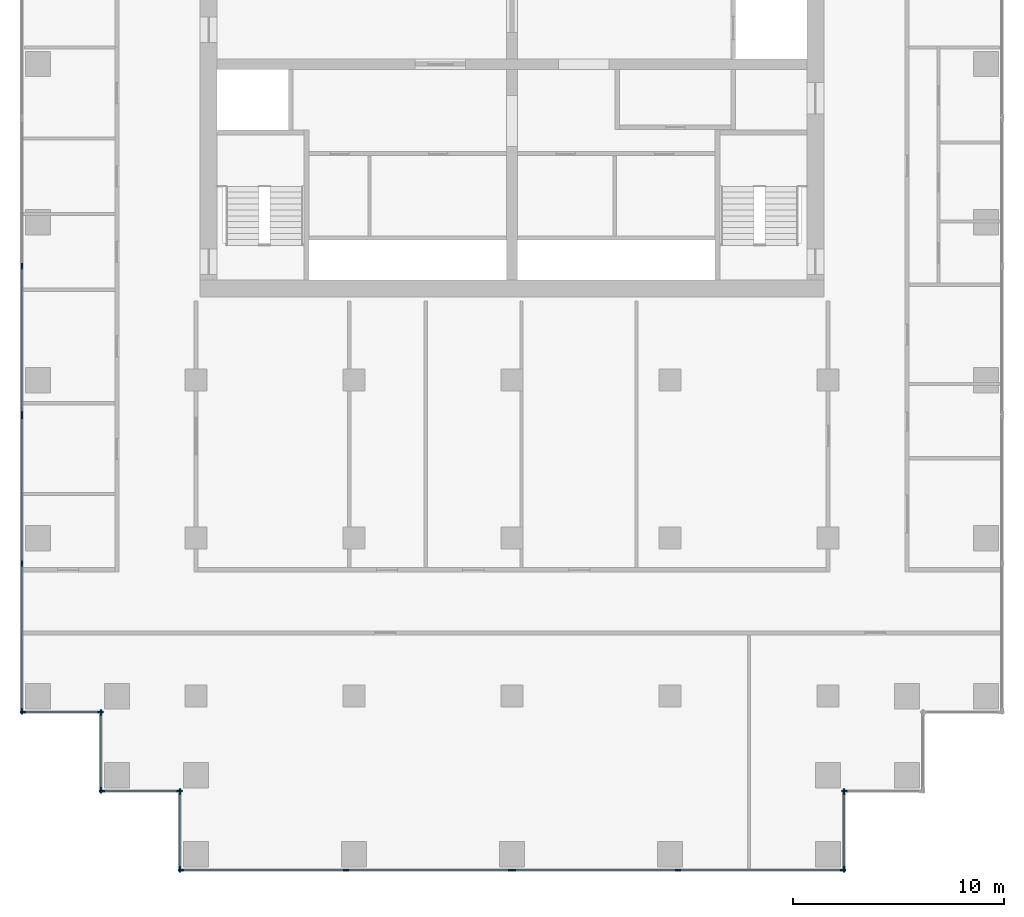
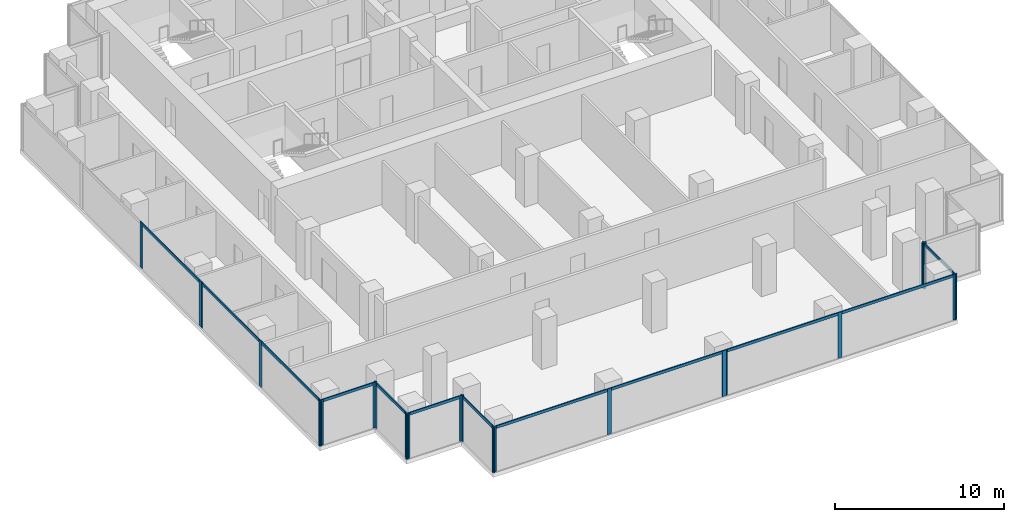
# One storey, part 2 of 10: 34 members, 10 elements without a shape of their own.
"""IFC4 building model written with IfcOpenShell, lengths in metres."""

import ifcopenshell
import ifcopenshell.guid

model = None  # the IFC model being written
_history = None  # IfcOwnerHistory: only IFC2X3 demands one
_inside = {}  # id of a spatial element -> (the spatial element, [elements in it])
_under = {}  # id of a project, library or spatial element -> (it, [spatial elements below it])
_declared = {}  # id of a project -> (the project, [libraries it declares])
_typed = {}  # id of a type object -> (the type object, [elements of that type])
_made_of = {}  # id of a material, layer set ... -> (it, [elements and type objects made of it])


def new_model(schema):
    """Start an empty IFC model of exactly this schema.

    Asked for "IFC4X3", IfcOpenShell would pick the latest addendum, in which some entities
    have other attributes; the version numbers below select the first issue.
    IFC2X3 requires an IfcOwnerHistory on every rooted entity: one is made here for all.
    """
    global model, _history
    if schema == "IFC4X3":
        model = ifcopenshell.file(schema_version=(4, 3, 0, 0))
    else:
        model = ifcopenshell.file(schema=schema)
    _inside.clear()
    _under.clear()
    _declared.clear()
    _typed.clear()
    _made_of.clear()
    _history = None
    if model.schema == "IFC2X3":
        org = make("IfcOrganization", Name="unknown")
        user = make(
            "IfcPersonAndOrganization",
            ThePerson=make("IfcPerson", FamilyName="unknown"),
            TheOrganization=org,
        )
        app = make(
            "IfcApplication",
            ApplicationDeveloper=org,
            Version="unknown",
            ApplicationFullName="unknown",
            ApplicationIdentifier="unknown",
        )
        _history = make(
            "IfcOwnerHistory",
            OwningUser=user,
            OwningApplication=app,
            ChangeAction="ADDED",
            CreationDate=0,
        )
    return model


def make(cls, **values):
    """One entity of the class cls with the attributes given. An attribute that is None is left unset."""
    return model.create_entity(
        cls, **{name: value for name, value in values.items() if value is not None}
    )


def rooted(cls, **values):
    """An entity with a GlobalId (a new one), such as an element, a storey or a relation."""
    return make(cls, GlobalId=ifcopenshell.guid.new(), OwnerHistory=_history, **values)


def si_unit(unit_type, name, prefix=None):
    """IfcSIUnit, for example si_unit("LENGTHUNIT", "METRE", prefix="MILLI")."""
    return make("IfcSIUnit", UnitType=unit_type, Prefix=prefix, Name=name)


def assignment(units):
    """IfcUnitAssignment: the units of a project."""
    return None if units is None else make("IfcUnitAssignment", Units=units)


def point(xyz):
    """IfcCartesianPoint."""
    return None if xyz is None else make("IfcCartesianPoint", Coordinates=xyz)


def direction(xyz):
    """IfcDirection."""
    return None if xyz is None else make("IfcDirection", DirectionRatios=xyz)


def frame(location, z_axis=None, x_axis=None):
    """IfcAxis2Placement3D, a coordinate frame: its origin and axes. An axis left out is left unset."""
    return make(
        "IfcAxis2Placement3D",
        Location=point(location),
        Axis=direction(z_axis),
        RefDirection=direction(x_axis),
    )


def frame_2d(location, x_axis=None):
    """IfcAxis2Placement2D, a coordinate frame in the plane: its origin and x axis."""
    return make(
        "IfcAxis2Placement2D", Location=point(location), RefDirection=direction(x_axis)
    )


def origin():
    """The frame at (0, 0, 0) with its axes left unset."""
    return frame((0.0, 0.0, 0.0))


def origin_2d():
    """The frame at (0, 0) in the plane with its x axis left unset."""
    return frame_2d((0.0, 0.0))


def place(relative_to, where):
    """IfcLocalPlacement: puts the frame where relative to a parent placement (None: the world)."""
    return make(
        "IfcLocalPlacement", PlacementRelTo=relative_to, RelativePlacement=where
    )


def context(
    kind, dimensions, precision=None, world=None, true_north=None, identifier=None
):
    """IfcGeometricRepresentationContext, for example the 3D "Model" context."""
    return make(
        "IfcGeometricRepresentationContext",
        ContextIdentifier=identifier,
        ContextType=kind,
        CoordinateSpaceDimension=dimensions,
        Precision=precision,
        WorldCoordinateSystem=world,
        TrueNorth=true_north,
    )


def subcontext(parent, identifier, kind, view, scale=None):
    """IfcGeometricRepresentationSubContext, for example "Body" below "Model"."""
    return make(
        "IfcGeometricRepresentationSubContext",
        ContextIdentifier=identifier,
        ContextType=kind,
        ParentContext=parent,
        TargetScale=scale,
        TargetView=view,
    )


def project(units=None, contexts=None):
    """IfcProject with its units and contexts."""
    return rooted(
        "IfcProject",
        Name="project",
        RepresentationContexts=contexts,
        UnitsInContext=assignment(units),
    )


def spatial(cls, under=None, at=None, **own):
    """A site, building, storey or space (cls), placed at a placement, below another one or the project."""
    s = rooted(cls, ObjectPlacement=at, **own)
    if under is not None:
        _under.setdefault(under.id(), (under, []))[1].append(s)
    return s


def profile(cls, at=None, kind="AREA", **sizes):
    """A parametric profile (cls). Its sizes go by their IFC names, for example OverallWidth=200.0."""
    return make(cls, ProfileType=kind, Position=at, **sizes)


def rectangle(**sizes):
    """IfcRectangleProfileDef."""
    return profile("IfcRectangleProfileDef", **sizes)


def extrude(swept, where, along, depth):
    """IfcExtrudedAreaSolid: the profile swept, set in the frame where, extruded along a direction by depth."""
    return make(
        "IfcExtrudedAreaSolid",
        SweptArea=swept,
        Position=where,
        ExtrudedDirection=direction(along),
        Depth=depth,
    )


def shape(context_of_items, identifier, shape_type, items):
    """IfcShapeRepresentation: the items that make up one representation, for example the "Body"."""
    return make(
        "IfcShapeRepresentation",
        ContextOfItems=context_of_items,
        RepresentationIdentifier=identifier,
        RepresentationType=shape_type,
        Items=items,
    )


def material(Name=None, Category=None):
    """IfcMaterial."""
    return make("IfcMaterial", Name=Name, Category=Category)


def material_profile(
    of_material, cross_section, Name=None, Category=None, Priority=None
):
    """IfcMaterialProfile: a cross section and its material."""
    return make(
        "IfcMaterialProfile",
        Name=Name,
        Material=of_material,
        Profile=cross_section,
        Priority=Priority,
        Category=Category,
    )


def profile_set(profiles, Name=None, composite=None):
    """IfcMaterialProfileSet."""
    return make(
        "IfcMaterialProfileSet",
        Name=Name,
        MaterialProfiles=profiles,
        CompositeProfile=composite,
    )


def made_of(thing, what):
    """Note that an element or type object is made of a material, layer set ...; save() writes the relation."""
    if what is not None:
        _made_of.setdefault(what.id(), (what, []))[1].append(thing)
    return thing


def type_object(cls, material=None, **own):
    """A type object (cls), such as IfcWallType, which elements share."""
    return made_of(rooted(cls, **own), material)


def element(
    cls,
    number,
    at=None,
    inside=None,
    cuts=None,
    type_object=None,
    material=None,
    context=None,
    identifier="Body",
    shape_type=None,
    held_by="IfcProductDefinitionShape",
    body=None,
    shapes=None,
    **own,
):
    """One element of the class cls, such as IfcWall. Its Tag is "e" and its number.

    at: its placement. inside: the storey or other place that contains it. cuts: it is an
    opening in that element (IfcRelVoidsElement). A single representation is given by context,
    identifier, shape_type and body (its items); several are given by shapes. held_by: the class
    of the entity that holds the representations. save() writes the other relations.
    """
    e = rooted(cls, Tag="e%d" % number, ObjectPlacement=at, **own)
    if body is not None:
        shapes = [shape(context, identifier, shape_type, body)]
    if shapes is not None:
        e.Representation = make(held_by, Representations=shapes)
    if inside is not None:
        _inside.setdefault(inside.id(), (inside, []))[1].append(e)
    if cuts is not None:
        rooted(
            "IfcRelVoidsElement", RelatingBuildingElement=cuts, RelatedOpeningElement=e
        )
    if type_object is not None:
        _typed.setdefault(type_object.id(), (type_object, []))[1].append(e)
    return made_of(e, material)


def aggregate(whole, parts):
    """IfcRelAggregates: a whole, such as a stair, and the parts it consists of."""
    return rooted("IfcRelAggregates", RelatingObject=whole, RelatedObjects=parts)


def save(model, path):
    """Write the relations noted so far, then the file.

    IfcRelAggregates (storeys below a building ...), IfcRelContainedInSpatialStructure (elements
    in a storey), IfcRelDefinesByType, IfcRelAssociatesMaterial and IfcRelDeclares: one each for
    every whole, place, type object, material and project.
    """
    for whole, parts in _under.values():
        aggregate(whole, parts)
    for where, things in _inside.values():
        rooted(
            "IfcRelContainedInSpatialStructure",
            RelatedElements=things,
            RelatingStructure=where,
        )
    for kind, things in _typed.values():
        rooted("IfcRelDefinesByType", RelatedObjects=things, RelatingType=kind)
    for what, things in _made_of.values():
        rooted("IfcRelAssociatesMaterial", RelatedObjects=things, RelatingMaterial=what)
    for by, libraries in _declared.values():
        rooted("IfcRelDeclares", RelatingContext=by, RelatedDefinitions=libraries)
    model.write(path)


model = new_model("IFC4")

# Units and contexts
model_context = context("Model", 3, precision=1e-05, world=origin(), true_north=direction((0.0, 1.0)))
body_context = subcontext(model_context, "Body", "Model", "MODEL_VIEW")
ifc_project = project(units=[si_unit("LENGTHUNIT", "METRE"), si_unit("AREAUNIT", "SQUARE_METRE"), si_unit("VOLUMEUNIT", "CUBIC_METRE"), si_unit("PLANEANGLEUNIT", "RADIAN"), si_unit("MASSUNIT", "GRAM", prefix="KILO")], contexts=[model_context])

# Site, building, storey
site_placement = place(None, origin())
site = spatial("IfcSite", under=ifc_project, at=site_placement, CompositionType="ELEMENT")
building_placement = place(site_placement, origin())
building = spatial("IfcBuilding", under=site, at=building_placement, Name="Pilkhan Gate Tower", CompositionType="ELEMENT")
storey_placement = place(building_placement, frame((0.0, 0.0, 176.5)))
storey = spatial("IfcBuildingStorey", under=building, at=storey_placement, Name="L45", CompositionType="ELEMENT", Elevation=176.5)

# Curtain wall, members
ifc_material_1 = material(Name="Pale anodised aluminium, clear low-iron double glazing", Category="aluminium")
curtain_wall_type = type_object("IfcCurtainWallType", Name="Office unitised curtain wall CW-O1", PredefinedType="USERDEFINED", material=ifc_material_1)
curtain_wall_1_placement = place(storey_placement, origin())
curtain_wall_1 = element("IfcCurtainWall", 1, at=curtain_wall_1_placement, inside=storey, type_object=curtain_wall_type, Name="Office unitised curtain wall CW-O1 L45 W", ObjectType="UNITISED CURTAIN WALL", PredefinedType="USERDEFINED")
ifc_material_2 = material(Name="Pale anodised aluminium", Category="aluminium")
ifc_material_profile_1 = material_profile(ifc_material_2, rectangle(XDim=0.070068359375, YDim=0.27490234375, at=origin_2d()), Name="Mullion 275x70")
ifc_profile_set_1 = profile_set([ifc_material_profile_1], Name="Pale anodised aluminium")
member_type_1 = type_object("IfcMemberType", Name="Mullion CW-O1 275x70", PredefinedType="MULLION", material=ifc_profile_set_1)
member_1_placement = place(storey_placement, frame((51.75, 51.784912109375, 0.0), z_axis=(0.0, 0.0, 1.0), x_axis=(-1.0, 0.0, 0.0)))
member_1 = element("IfcMember", 2, at=member_1_placement, type_object=member_type_1, Name="CW-O1 mullion 1", PredefinedType="MULLION", context=body_context, shape_type="SweptSolid", body=[
    extrude(rectangle(XDim=0.070068359375, YDim=0.27490234375, at=origin_2d()), origin(), (0.0, 0.0, 1.0), 3.300048828125),
])
member_2_placement = place(storey_placement, frame((51.75, 58.800048828125, 0.0), z_axis=(0.0, 0.0, 1.0), x_axis=(-1.0, 0.0, 0.0)))
member_2 = element("IfcMember", 3, at=member_2_placement, type_object=member_type_1, Name="CW-O1 mullion 2", PredefinedType="MULLION", context=body_context, shape_type="SweptSolid", body=[
    extrude(rectangle(XDim=0.070068359375, YDim=0.27490234375, at=origin_2d()), origin(), (0.0, 0.0, 1.0), 3.300048828125),
])
member_3_placement = place(storey_placement, frame((51.75, 65.81494140625, 0.0), z_axis=(0.0, 0.0, 1.0), x_axis=(-1.0, 0.0, 0.0)))
member_3 = element("IfcMember", 4, at=member_3_placement, type_object=member_type_1, Name="CW-O1 mullion 3", PredefinedType="MULLION", context=body_context, shape_type="SweptSolid", body=[
    extrude(rectangle(XDim=0.070068359375, YDim=0.27490234375, at=origin_2d()), origin(), (0.0, 0.0, 1.0), 3.300048828125),
])

curtain_wall_2_placement = place(storey_placement, origin())
curtain_wall_2 = element("IfcCurtainWall", 5, at=curtain_wall_2_placement, inside=storey, type_object=curtain_wall_type, Name="Office unitised curtain wall CW-O1 L45 W", ObjectType="UNITISED CURTAIN WALL", PredefinedType="USERDEFINED")
member_4_placement = place(storey_placement, frame((51.75, 65.885009765625, 0.0), z_axis=(0.0, 0.0, 1.0), x_axis=(-1.0, 0.0, 0.0)))
member_4 = element("IfcMember", 6, at=member_4_placement, type_object=member_type_1, Name="CW-O1 mullion 1", PredefinedType="MULLION", context=body_context, shape_type="SweptSolid", body=[
    extrude(rectangle(XDim=0.070068359375, YDim=0.27490234375, at=origin_2d()), origin(), (0.0, 0.0, 1.0), 3.300048828125),
])
member_5_placement = place(storey_placement, frame((51.75, 72.89990234375, 0.0), z_axis=(0.0, 0.0, 1.0), x_axis=(-1.0, 0.0, 0.0)))
member_5 = element("IfcMember", 7, at=member_5_placement, type_object=member_type_1, Name="CW-O1 mullion 2", PredefinedType="MULLION", context=body_context, shape_type="SweptSolid", body=[
    extrude(rectangle(XDim=0.070068359375, YDim=0.27490234375, at=origin_2d()), origin(), (0.0, 0.0, 1.0), 3.300048828125),
])

curtain_wall_3_placement = place(storey_placement, origin())
curtain_wall_3 = element("IfcCurtainWall", 8, at=curtain_wall_3_placement, inside=storey, type_object=curtain_wall_type, Name="Office unitised curtain wall CW-O1 L45 S", ObjectType="UNITISED CURTAIN WALL", PredefinedType="USERDEFINED")
member_6_placement = place(storey_placement, frame((51.784912109375, 51.75, 0.0), z_axis=(0.0, 0.0, 1.0), x_axis=(0.0, 1.0, 0.0)))
member_6 = element("IfcMember", 9, at=member_6_placement, type_object=member_type_1, Name="CW-O1 mullion 1", PredefinedType="MULLION", context=body_context, shape_type="SweptSolid", body=[
    extrude(rectangle(XDim=0.070068359375, YDim=0.27490234375, at=origin_2d()), origin(), (0.0, 0.0, 1.0), 3.300048828125),
])
member_7_placement = place(storey_placement, frame((55.465087890625, 51.75, 0.0), z_axis=(0.0, 0.0, 1.0), x_axis=(0.0, 1.0, 0.0)))
member_7 = element("IfcMember", 10, at=member_7_placement, type_object=member_type_1, Name="CW-O1 mullion 2", PredefinedType="MULLION", context=body_context, shape_type="SweptSolid", body=[
    extrude(rectangle(XDim=0.070068359375, YDim=0.27490234375, at=origin_2d()), origin(), (0.0, 0.0, 1.0), 3.300048828125),
])

curtain_wall_4_placement = place(storey_placement, origin())
curtain_wall_4 = element("IfcCurtainWall", 11, at=curtain_wall_4_placement, inside=storey, type_object=curtain_wall_type, Name="Office unitised curtain wall CW-O1 L45 W", ObjectType="UNITISED CURTAIN WALL", PredefinedType="USERDEFINED")
member_8_placement = place(storey_placement, frame((55.5, 48.034912109375, 0.0), z_axis=(0.0, 0.0, 1.0), x_axis=(-1.0, 0.0, 0.0)))
member_8 = element("IfcMember", 12, at=member_8_placement, type_object=member_type_1, Name="CW-O1 mullion 1", PredefinedType="MULLION", context=body_context, shape_type="SweptSolid", body=[
    extrude(rectangle(XDim=0.070068359375, YDim=0.27490234375, at=origin_2d()), origin(), (0.0, 0.0, 1.0), 3.300048828125),
])
member_9_placement = place(storey_placement, frame((55.5, 51.715087890625, 0.0), z_axis=(0.0, 0.0, 1.0), x_axis=(-1.0, 0.0, 0.0)))
member_9 = element("IfcMember", 13, at=member_9_placement, type_object=member_type_1, Name="CW-O1 mullion 2", PredefinedType="MULLION", context=body_context, shape_type="SweptSolid", body=[
    extrude(rectangle(XDim=0.070068359375, YDim=0.27490234375, at=origin_2d()), origin(), (0.0, 0.0, 1.0), 3.300048828125),
])

curtain_wall_5_placement = place(storey_placement, origin())
curtain_wall_5 = element("IfcCurtainWall", 14, at=curtain_wall_5_placement, inside=storey, type_object=curtain_wall_type, Name="Office unitised curtain wall CW-O1 L45 S", ObjectType="UNITISED CURTAIN WALL", PredefinedType="USERDEFINED")
member_10_placement = place(storey_placement, frame((55.534912109375, 48.0, 0.0), z_axis=(0.0, 0.0, 1.0), x_axis=(0.0, 1.0, 0.0)))
member_10 = element("IfcMember", 15, at=member_10_placement, type_object=member_type_1, Name="CW-O1 mullion 1", PredefinedType="MULLION", context=body_context, shape_type="SweptSolid", body=[
    extrude(rectangle(XDim=0.070068359375, YDim=0.27490234375, at=origin_2d()), origin(), (0.0, 0.0, 1.0), 3.300048828125),
])
member_11_placement = place(storey_placement, frame((59.215087890625, 48.0, 0.0), z_axis=(0.0, 0.0, 1.0), x_axis=(0.0, 1.0, 0.0)))
member_11 = element("IfcMember", 16, at=member_11_placement, type_object=member_type_1, Name="CW-O1 mullion 2", PredefinedType="MULLION", context=body_context, shape_type="SweptSolid", body=[
    extrude(rectangle(XDim=0.070068359375, YDim=0.27490234375, at=origin_2d()), origin(), (0.0, 0.0, 1.0), 3.300048828125),
])

curtain_wall_6_placement = place(storey_placement, origin())
curtain_wall_6 = element("IfcCurtainWall", 17, at=curtain_wall_6_placement, inside=storey, type_object=curtain_wall_type, Name="Office unitised curtain wall CW-O1 L45 W", ObjectType="UNITISED CURTAIN WALL", PredefinedType="USERDEFINED")
member_12_placement = place(storey_placement, frame((59.25, 44.284912109375, 0.0), z_axis=(0.0, 0.0, 1.0), x_axis=(-1.0, 0.0, 0.0)))
member_12 = element("IfcMember", 18, at=member_12_placement, type_object=member_type_1, Name="CW-O1 mullion 1", PredefinedType="MULLION", context=body_context, shape_type="SweptSolid", body=[
    extrude(rectangle(XDim=0.070068359375, YDim=0.27490234375, at=origin_2d()), origin(), (0.0, 0.0, 1.0), 3.300048828125),
])
member_13_placement = place(storey_placement, frame((59.25, 47.965087890625, 0.0), z_axis=(0.0, 0.0, 1.0), x_axis=(-1.0, 0.0, 0.0)))
member_13 = element("IfcMember", 19, at=member_13_placement, type_object=member_type_1, Name="CW-O1 mullion 2", PredefinedType="MULLION", context=body_context, shape_type="SweptSolid", body=[
    extrude(rectangle(XDim=0.070068359375, YDim=0.27490234375, at=origin_2d()), origin(), (0.0, 0.0, 1.0), 3.300048828125),
])

curtain_wall_7_placement = place(storey_placement, origin())
curtain_wall_7 = element("IfcCurtainWall", 20, at=curtain_wall_7_placement, inside=storey, type_object=curtain_wall_type, Name="Office unitised curtain wall CW-O1 L45 S", ObjectType="UNITISED CURTAIN WALL", PredefinedType="USERDEFINED")
member_14_placement = place(storey_placement, frame((59.284912109375, 44.25, 0.0), z_axis=(0.0, 0.0, 1.0), x_axis=(0.0, 1.0, 0.0)))
member_14 = element("IfcMember", 21, at=member_14_placement, type_object=member_type_1, Name="CW-O1 mullion 1", PredefinedType="MULLION", context=body_context, shape_type="SweptSolid", body=[
    extrude(rectangle(XDim=0.070068359375, YDim=0.27490234375, at=origin_2d()), origin(), (0.0, 0.0, 1.0), 3.300048828125),
])
member_15_placement = place(storey_placement, frame((67.125, 44.25, 0.0), z_axis=(0.0, 0.0, 1.0), x_axis=(0.0, 1.0, 0.0)))
member_15 = element("IfcMember", 22, at=member_15_placement, type_object=member_type_1, Name="CW-O1 mullion 2", PredefinedType="MULLION", context=body_context, shape_type="SweptSolid", body=[
    extrude(rectangle(XDim=0.070068359375, YDim=0.27490234375, at=origin_2d()), origin(), (0.0, 0.0, 1.0), 3.300048828125),
])
member_16_placement = place(storey_placement, frame((74.965087890625, 44.25, 0.0), z_axis=(0.0, 0.0, 1.0), x_axis=(0.0, 1.0, 0.0)))
member_16 = element("IfcMember", 23, at=member_16_placement, type_object=member_type_1, Name="CW-O1 mullion 3", PredefinedType="MULLION", context=body_context, shape_type="SweptSolid", body=[
    extrude(rectangle(XDim=0.070068359375, YDim=0.27490234375, at=origin_2d()), origin(), (0.0, 0.0, 1.0), 3.300048828125),
])

curtain_wall_8_placement = place(storey_placement, origin())
curtain_wall_8 = element("IfcCurtainWall", 24, at=curtain_wall_8_placement, inside=storey, type_object=curtain_wall_type, Name="Office unitised curtain wall CW-O1 L45 S", ObjectType="UNITISED CURTAIN WALL", PredefinedType="USERDEFINED")
member_17_placement = place(storey_placement, frame((75.034912109375, 44.25, 0.0), z_axis=(0.0, 0.0, 1.0), x_axis=(0.0, 1.0, 0.0)))
member_17 = element("IfcMember", 25, at=member_17_placement, type_object=member_type_1, Name="CW-O1 mullion 1", PredefinedType="MULLION", context=body_context, shape_type="SweptSolid", body=[
    extrude(rectangle(XDim=0.070068359375, YDim=0.27490234375, at=origin_2d()), origin(), (0.0, 0.0, 1.0), 3.300048828125),
])
member_18_placement = place(storey_placement, frame((82.875, 44.25, 0.0), z_axis=(0.0, 0.0, 1.0), x_axis=(0.0, 1.0, 0.0)))
member_18 = element("IfcMember", 26, at=member_18_placement, type_object=member_type_1, Name="CW-O1 mullion 2", PredefinedType="MULLION", context=body_context, shape_type="SweptSolid", body=[
    extrude(rectangle(XDim=0.070068359375, YDim=0.27490234375, at=origin_2d()), origin(), (0.0, 0.0, 1.0), 3.300048828125),
])
member_19_placement = place(storey_placement, frame((90.715087890625, 44.25, 0.0), z_axis=(0.0, 0.0, 1.0), x_axis=(0.0, 1.0, 0.0)))
member_19 = element("IfcMember", 27, at=member_19_placement, type_object=member_type_1, Name="CW-O1 mullion 3", PredefinedType="MULLION", context=body_context, shape_type="SweptSolid", body=[
    extrude(rectangle(XDim=0.070068359375, YDim=0.27490234375, at=origin_2d()), origin(), (0.0, 0.0, 1.0), 3.300048828125),
])

curtain_wall_9_placement = place(storey_placement, origin())
curtain_wall_9 = element("IfcCurtainWall", 28, at=curtain_wall_9_placement, inside=storey, type_object=curtain_wall_type, Name="Office unitised curtain wall CW-O1 L45 E", ObjectType="UNITISED CURTAIN WALL", PredefinedType="USERDEFINED")
member_20_placement = place(storey_placement, frame((90.75, 44.284912109375, 0.0), z_axis=(0.0, 0.0, 1.0), x_axis=(-1.0, 0.0, 0.0)))
member_20 = element("IfcMember", 29, at=member_20_placement, type_object=member_type_1, Name="CW-O1 mullion 1", PredefinedType="MULLION", context=body_context, shape_type="SweptSolid", body=[
    extrude(rectangle(XDim=0.070068359375, YDim=0.27490234375, at=origin_2d()), origin(), (0.0, 0.0, 1.0), 3.300048828125),
])
member_21_placement = place(storey_placement, frame((90.75, 47.965087890625, 0.0), z_axis=(0.0, 0.0, 1.0), x_axis=(-1.0, 0.0, 0.0)))
member_21 = element("IfcMember", 30, at=member_21_placement, type_object=member_type_1, Name="CW-O1 mullion 2", PredefinedType="MULLION", context=body_context, shape_type="SweptSolid", body=[
    extrude(rectangle(XDim=0.070068359375, YDim=0.27490234375, at=origin_2d()), origin(), (0.0, 0.0, 1.0), 3.300048828125),
])

# Curtain wall, member
curtain_wall_10_placement = place(storey_placement, origin())
curtain_wall_10 = element("IfcCurtainWall", 31, at=curtain_wall_10_placement, inside=storey, type_object=curtain_wall_type, Name="Office unitised curtain wall CW-O1 L45 S", ObjectType="UNITISED CURTAIN WALL", PredefinedType="USERDEFINED")
member_22_placement = place(storey_placement, frame((90.784912109375, 48.0, 0.0), z_axis=(0.0, 0.0, 1.0), x_axis=(0.0, 1.0, 0.0)))
member_22 = element("IfcMember", 32, at=member_22_placement, type_object=member_type_1, Name="CW-O1 mullion 1", PredefinedType="MULLION", context=body_context, shape_type="SweptSolid", body=[
    extrude(rectangle(XDim=0.070068359375, YDim=0.27490234375, at=origin_2d()), origin(), (0.0, 0.0, 1.0), 3.300048828125),
])
aggregate(curtain_wall_10, [member_22])

# Member
ifc_material_profile_2 = material_profile(ifc_material_2, rectangle(XDim=0.070068359375, YDim=0.199951171875, at=origin_2d()), Name="Transom 200x70")
ifc_profile_set_2 = profile_set([ifc_material_profile_2], Name="Pale anodised aluminium")
member_type_2 = type_object("IfcMemberType", Name="Transom CW-O1 200x70", PredefinedType="USERDEFINED", material=ifc_profile_set_2)
member_23_placement = place(storey_placement, frame((51.75, 51.820068359375, 3.199951171875), z_axis=(0.0, 1.0, 0.0), x_axis=(-1.0, 0.0, 0.0)))
member_23 = element("IfcMember", 33, at=member_23_placement, type_object=member_type_2, Name="CW-O1 transom 1", ObjectType="TRANSOM", PredefinedType="USERDEFINED", context=body_context, shape_type="SweptSolid", body=[
    extrude(rectangle(XDim=0.070068359375, YDim=0.199951171875, at=origin_2d()), origin(), (0.0, 0.0, 1.0), 6.94482421875),
])

member_24_placement = place(storey_placement, frame((51.75, 58.8349609375, 3.199951171875), z_axis=(0.0, 1.0, 0.0), x_axis=(-1.0, 0.0, 0.0)))
member_24 = element("IfcMember", 34, at=member_24_placement, type_object=member_type_2, Name="CW-O1 transom 2", ObjectType="TRANSOM", PredefinedType="USERDEFINED", context=body_context, shape_type="SweptSolid", body=[
    extrude(rectangle(XDim=0.070068359375, YDim=0.199951171875, at=origin_2d()), origin(), (0.0, 0.0, 1.0), 6.945068359375),
])

aggregate(curtain_wall_1, [member_1, member_2, member_3, member_23, member_24])

member_25_placement = place(storey_placement, frame((51.75, 65.919921875, 3.199951171875), z_axis=(0.0, 1.0, 0.0), x_axis=(-1.0, 0.0, 0.0)))
member_25 = element("IfcMember", 35, at=member_25_placement, type_object=member_type_2, Name="CW-O1 transom 1", ObjectType="TRANSOM", PredefinedType="USERDEFINED", context=body_context, shape_type="SweptSolid", body=[
    extrude(rectangle(XDim=0.070068359375, YDim=0.199951171875, at=origin_2d()), origin(), (0.0, 0.0, 1.0), 6.945068359375),
])

aggregate(curtain_wall_2, [member_4, member_5, member_25])

member_26_placement = place(storey_placement, frame((51.820068359375, 51.75, 3.199951171875), z_axis=(1.0, 0.0, 0.0), x_axis=(0.0, 1.0, 0.0)))
member_26 = element("IfcMember", 36, at=member_26_placement, type_object=member_type_2, Name="CW-O1 transom 1", ObjectType="TRANSOM", PredefinedType="USERDEFINED", context=body_context, shape_type="SweptSolid", body=[
    extrude(rectangle(XDim=0.070068359375, YDim=0.199951171875, at=origin_2d()), origin(), (0.0, 0.0, 1.0), 3.60986328125),
])

aggregate(curtain_wall_3, [member_6, member_7, member_26])

member_27_placement = place(storey_placement, frame((55.5, 48.070068359375, 3.199951171875), z_axis=(0.0, 1.0, 0.0), x_axis=(-1.0, 0.0, 0.0)))
member_27 = element("IfcMember", 37, at=member_27_placement, type_object=member_type_2, Name="CW-O1 transom 1", ObjectType="TRANSOM", PredefinedType="USERDEFINED", context=body_context, shape_type="SweptSolid", body=[
    extrude(rectangle(XDim=0.070068359375, YDim=0.199951171875, at=origin_2d()), origin(), (0.0, 0.0, 1.0), 3.60986328125),
])

aggregate(curtain_wall_4, [member_8, member_9, member_27])

member_28_placement = place(storey_placement, frame((55.570068359375, 48.0, 3.199951171875), z_axis=(1.0, 0.0, 0.0), x_axis=(0.0, 1.0, 0.0)))
member_28 = element("IfcMember", 38, at=member_28_placement, type_object=member_type_2, Name="CW-O1 transom 1", ObjectType="TRANSOM", PredefinedType="USERDEFINED", context=body_context, shape_type="SweptSolid", body=[
    extrude(rectangle(XDim=0.070068359375, YDim=0.199951171875, at=origin_2d()), origin(), (0.0, 0.0, 1.0), 3.60986328125),
])

aggregate(curtain_wall_5, [member_10, member_11, member_28])

member_29_placement = place(storey_placement, frame((59.25, 44.320068359375, 3.199951171875), z_axis=(0.0, 1.0, 0.0), x_axis=(-1.0, 0.0, 0.0)))
member_29 = element("IfcMember", 39, at=member_29_placement, type_object=member_type_2, Name="CW-O1 transom 1", ObjectType="TRANSOM", PredefinedType="USERDEFINED", context=body_context, shape_type="SweptSolid", body=[
    extrude(rectangle(XDim=0.070068359375, YDim=0.199951171875, at=origin_2d()), origin(), (0.0, 0.0, 1.0), 3.60986328125),
])

aggregate(curtain_wall_6, [member_12, member_13, member_29])

member_30_placement = place(storey_placement, frame((59.320068359375, 44.25, 3.199951171875), z_axis=(1.0, 0.0, 0.0), x_axis=(0.0, 1.0, 0.0)))
member_30 = element("IfcMember", 40, at=member_30_placement, type_object=member_type_2, Name="CW-O1 transom 1", ObjectType="TRANSOM", PredefinedType="USERDEFINED", context=body_context, shape_type="SweptSolid", body=[
    extrude(rectangle(XDim=0.070068359375, YDim=0.199951171875, at=origin_2d()), origin(), (0.0, 0.0, 1.0), 7.77001953125),
])

member_31_placement = place(storey_placement, frame((67.159912109375, 44.25, 3.199951171875), z_axis=(1.0, 0.0, 0.0), x_axis=(0.0, 1.0, 0.0)))
member_31 = element("IfcMember", 41, at=member_31_placement, type_object=member_type_2, Name="CW-O1 transom 2", ObjectType="TRANSOM", PredefinedType="USERDEFINED", context=body_context, shape_type="SweptSolid", body=[
    extrude(rectangle(XDim=0.070068359375, YDim=0.199951171875, at=origin_2d()), origin(), (0.0, 0.0, 1.0), 7.77001953125),
])

aggregate(curtain_wall_7, [member_14, member_15, member_16, member_30, member_31])

member_32_placement = place(storey_placement, frame((75.070068359375, 44.25, 3.199951171875), z_axis=(1.0, 0.0, 0.0), x_axis=(0.0, 1.0, 0.0)))
member_32 = element("IfcMember", 42, at=member_32_placement, type_object=member_type_2, Name="CW-O1 transom 1", ObjectType="TRANSOM", PredefinedType="USERDEFINED", context=body_context, shape_type="SweptSolid", body=[
    extrude(rectangle(XDim=0.070068359375, YDim=0.199951171875, at=origin_2d()), origin(), (0.0, 0.0, 1.0), 7.77001953125),
])

member_33_placement = place(storey_placement, frame((82.909912109375, 44.25, 3.199951171875), z_axis=(1.0, 0.0, 0.0), x_axis=(0.0, 1.0, 0.0)))
member_33 = element("IfcMember", 43, at=member_33_placement, type_object=member_type_2, Name="CW-O1 transom 2", ObjectType="TRANSOM", PredefinedType="USERDEFINED", context=body_context, shape_type="SweptSolid", body=[
    extrude(rectangle(XDim=0.070068359375, YDim=0.199951171875, at=origin_2d()), origin(), (0.0, 0.0, 1.0), 7.77001953125),
])

aggregate(curtain_wall_8, [member_17, member_18, member_19, member_32, member_33])

member_34_placement = place(storey_placement, frame((90.75, 44.320068359375, 3.199951171875), z_axis=(0.0, 1.0, 0.0), x_axis=(-1.0, 0.0, 0.0)))
member_34 = element("IfcMember", 44, at=member_34_placement, type_object=member_type_2, Name="CW-O1 transom 1", ObjectType="TRANSOM", PredefinedType="USERDEFINED", context=body_context, shape_type="SweptSolid", body=[
    extrude(rectangle(XDim=0.070068359375, YDim=0.199951171875, at=origin_2d()), origin(), (0.0, 0.0, 1.0), 3.60986328125),
])

aggregate(curtain_wall_9, [member_20, member_21, member_34])

save(model, "model.ifc")
